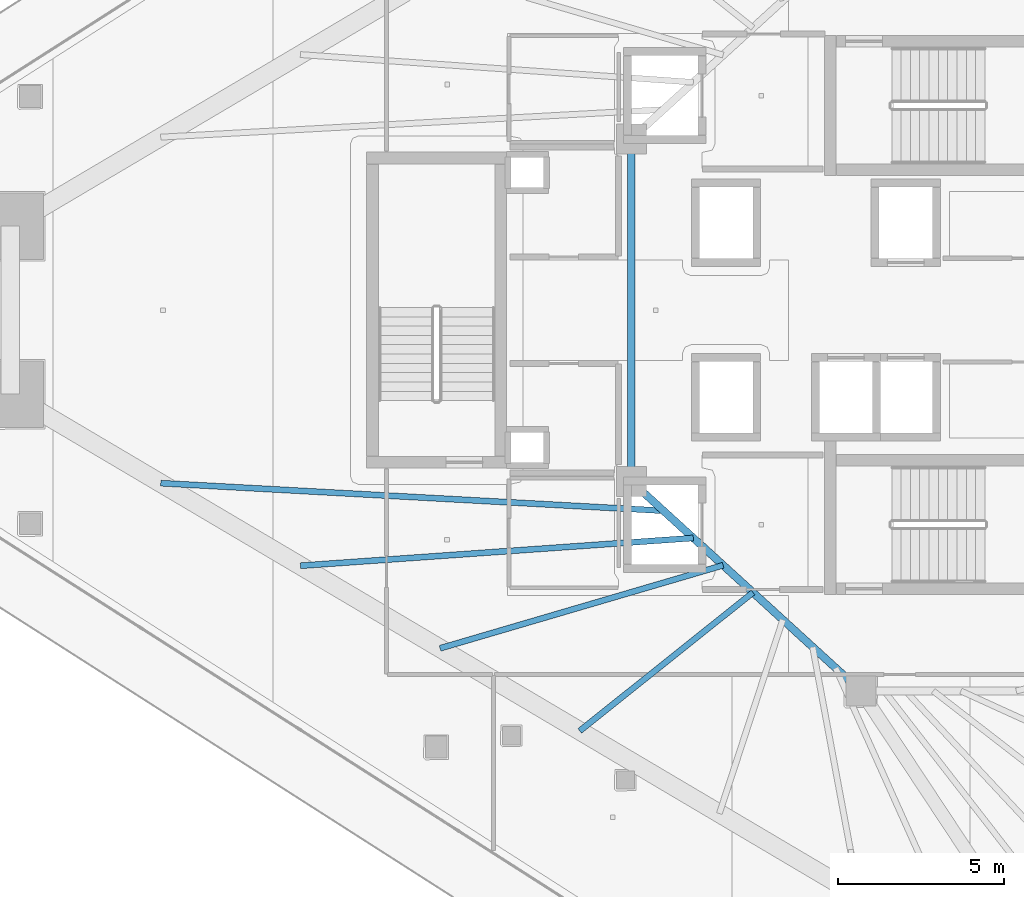
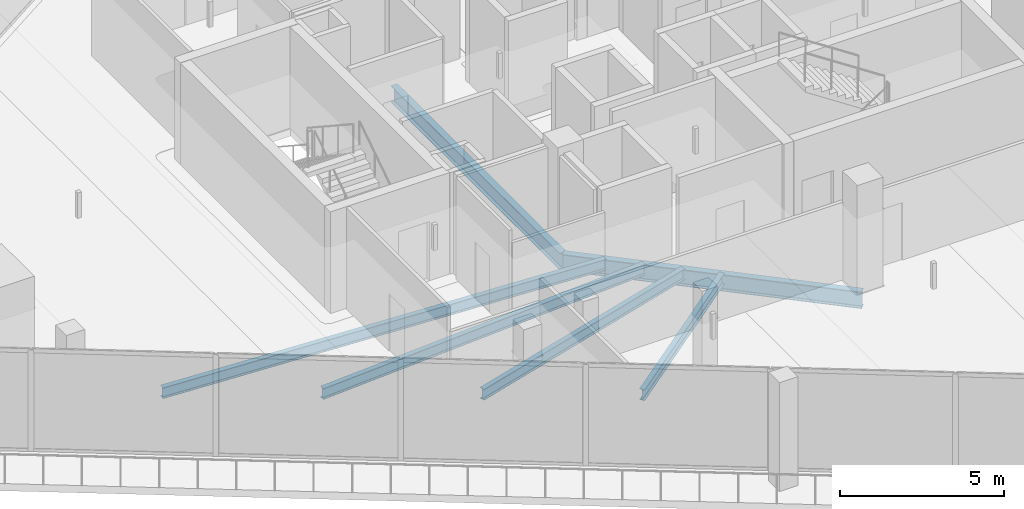
# One storey, part 8 of 36: 6 beams.
"""IFC4 building model written with IfcOpenShell, lengths in metres."""

from ifc_helpers import new_model, si_unit, direction, frame, origin, origin_2d, place, context, subcontext, project, spatial, i_section, extrude, material, material_profile, profile_set, type_object, element, save


model = new_model("IFC4")

# Units and contexts
model_context = context("Model", 3, precision=1e-05, world=origin(), true_north=direction((0.0, 1.0)))
body_context = subcontext(model_context, "Body", "Model", "MODEL_VIEW")
ifc_project = project(units=[si_unit("LENGTHUNIT", "METRE"), si_unit("AREAUNIT", "SQUARE_METRE"), si_unit("VOLUMEUNIT", "CUBIC_METRE"), si_unit("PLANEANGLEUNIT", "RADIAN"), si_unit("MASSUNIT", "GRAM", prefix="KILO")], contexts=[model_context])

# Site, building, storey
site_placement = place(None, origin())
site = spatial("IfcSite", under=ifc_project, at=site_placement, CompositionType="ELEMENT")
building_placement = place(site_placement, origin())
building = spatial("IfcBuilding", under=site, at=building_placement, Name="Qorvath Tower", CompositionType="ELEMENT")
storey_placement = place(building_placement, frame((0.0, 0.0, 192.89990234375)))
storey = spatial("IfcBuildingStorey", under=building, at=storey_placement, Name="L44", CompositionType="ELEMENT", Elevation=192.89990234375)

# Beams
ifc_material_1 = material(Name="Steel ASTM A992 Grade 50", Category="steel")
ifc_material_profile_1 = material_profile(ifc_material_1, i_section(OverallWidth=0.22998046875, OverallDepth=0.616943359375, WebThickness=0.01318359375, FlangeThickness=0.022216796875, FilletRadius=0.014892578125, at=origin_2d()), Name="W24x94")
ifc_profile_set_1 = profile_set([ifc_material_profile_1], Name="Steel ASTM A992 Grade 50")
beam_type_1 = type_object("IfcBeamType", Name="BM-FG6", PredefinedType="BEAM", material=ifc_profile_set_1)
beam_1_placement = place(storey_placement, frame((-23.60009765625, -11.449951171875, -0.57861328125), z_axis=(-0.73847813985, 0.6742774184, 0.0), x_axis=(-0.6742774184, -0.73847813985, 0.0)))
element("IfcBeam", 1, at=beam_1_placement, inside=storey, type_object=beam_type_1, Name="Core Ring Girder CC4-CC6 L44", PredefinedType="BEAM", context=body_context, shape_type="SweptSolid", body=[
    extrude(i_section(OverallWidth=0.22998046875, OverallDepth=0.616943359375, WebThickness=0.01318359375, FlangeThickness=0.022216796875, FilletRadius=0.014892578125, at=origin_2d()), origin(), (0.0, 0.0, 1.0), 9.343505859375),
])
beam_2_placement = place(storey_placement, frame((-30.5, -5.14990234375, -0.57861328125), z_axis=(0.0, 1.0, 0.0), x_axis=(-1.0, 0.0, 0.0)))
element("IfcBeam", 2, at=beam_2_placement, inside=storey, type_object=beam_type_1, Name="Core Ring Girder CC6-CC5 L44", PredefinedType="BEAM", context=body_context, shape_type="SweptSolid", body=[
    extrude(i_section(OverallWidth=0.22998046875, OverallDepth=0.616943359375, WebThickness=0.01318359375, FlangeThickness=0.022216796875, FilletRadius=0.014892578125, at=origin_2d()), origin(), (0.0, 0.0, 1.0), 10.2998046875),
])
ifc_material_2 = material(Name="Steel ASTM A992 Grade 50", Category="steel")
ifc_material_profile_2 = material_profile(ifc_material_2, i_section(OverallWidth=0.177978515625, OverallDepth=0.406005859375, WebThickness=0.0078125, FlangeThickness=0.0126953125, FilletRadius=0.010986328125, at=origin_2d()), Name="W16x40")
ifc_profile_set_2 = profile_set([ifc_material_profile_2], Name="Steel ASTM A992 Grade 50")
beam_type_2 = type_object("IfcBeamType", Name="BM-FJ3", PredefinedType="JOIST", material=ifc_profile_set_2)
beam_3_placement = place(storey_placement, frame((-29.533935546875, -6.031982421875, -0.472900390625), z_axis=(-0.998494745044, 0.054847462293, 0.0), x_axis=(-0.054847462293, -0.998494745044, 0.0)))
element("IfcBeam", 3, at=beam_3_placement, inside=storey, type_object=beam_type_2, Name="Composite Floor Joist SW1 L44", PredefinedType="JOIST", context=body_context, shape_type="SweptSolid", body=[
    extrude(i_section(OverallWidth=0.177978515625, OverallDepth=0.406005859375, WebThickness=0.0078125, FlangeThickness=0.0126953125, FilletRadius=0.010986328125, at=origin_2d()), origin(), (0.0, 0.0, 1.0), 15.138671875),
])
beam_4_placement = place(storey_placement, frame((-28.636962890625, -6.85107421875, -0.472900390625), z_axis=(-0.997520476731, -0.070376832146, 0.0), x_axis=(0.070376832146, -0.997520476731, 0.0)))
element("IfcBeam", 4, at=beam_4_placement, inside=storey, type_object=beam_type_2, Name="Composite Floor Joist SW2 L44", PredefinedType="JOIST", context=body_context, shape_type="SweptSolid", body=[
    extrude(i_section(OverallWidth=0.177978515625, OverallDepth=0.406005859375, WebThickness=0.0078125, FlangeThickness=0.0126953125, FilletRadius=0.010986328125, at=origin_2d()), origin(), (0.0, 0.0, 1.0), 11.84326171875),
])
beam_5_placement = place(storey_placement, frame((-27.739990234375, -7.669921875, -0.472900390625), z_axis=(-0.959544992264, -0.281555337049, 0.0), x_axis=(0.281555337049, -0.959544992264, 0.0)))
element("IfcBeam", 5, at=beam_5_placement, inside=storey, type_object=beam_type_2, Name="Composite Floor Joist SW3 L44", PredefinedType="JOIST", context=body_context, shape_type="SweptSolid", body=[
    extrude(i_section(OverallWidth=0.177978515625, OverallDepth=0.406005859375, WebThickness=0.0078125, FlangeThickness=0.0126953125, FilletRadius=0.010986328125, at=origin_2d()), origin(), (0.0, 0.0, 1.0), 8.87060546875),
])
beam_6_placement = place(storey_placement, frame((-26.843017578125, -8.489013671875, -0.472900390625), z_axis=(-0.781336553339, -0.624109918537, 0.0), x_axis=(0.624109918537, -0.781336553339, 0.0)))
element("IfcBeam", 6, at=beam_6_placement, inside=storey, type_object=beam_type_2, Name="Composite Floor Joist SW4 L44", PredefinedType="JOIST", context=body_context, shape_type="SweptSolid", body=[
    extrude(i_section(OverallWidth=0.177978515625, OverallDepth=0.406005859375, WebThickness=0.0078125, FlangeThickness=0.0126953125, FilletRadius=0.010986328125, at=origin_2d()), origin(), (0.0, 0.0, 1.0), 6.667724609375),
])

save(model, "model.ifc")
